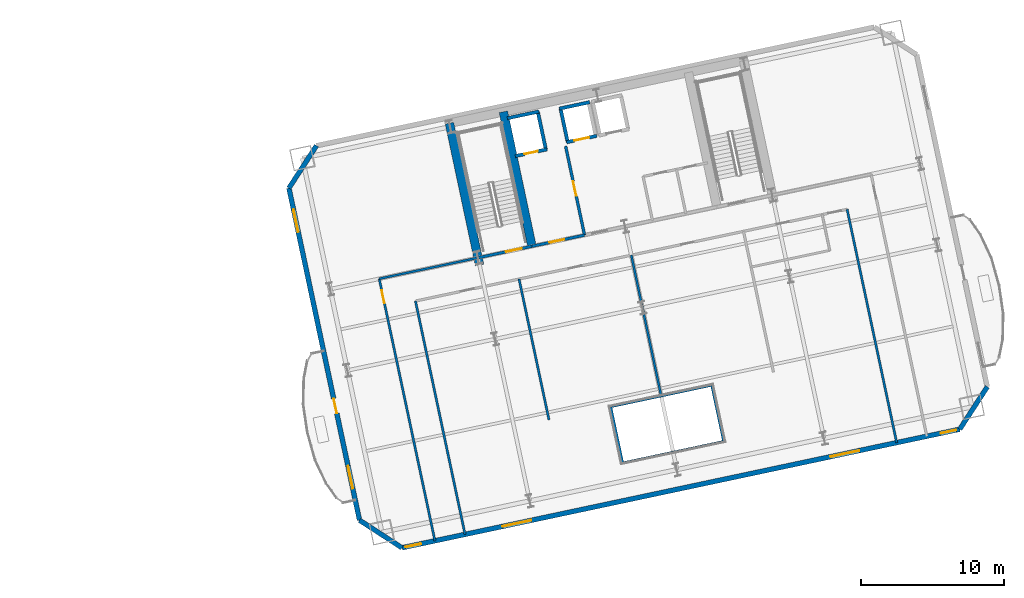
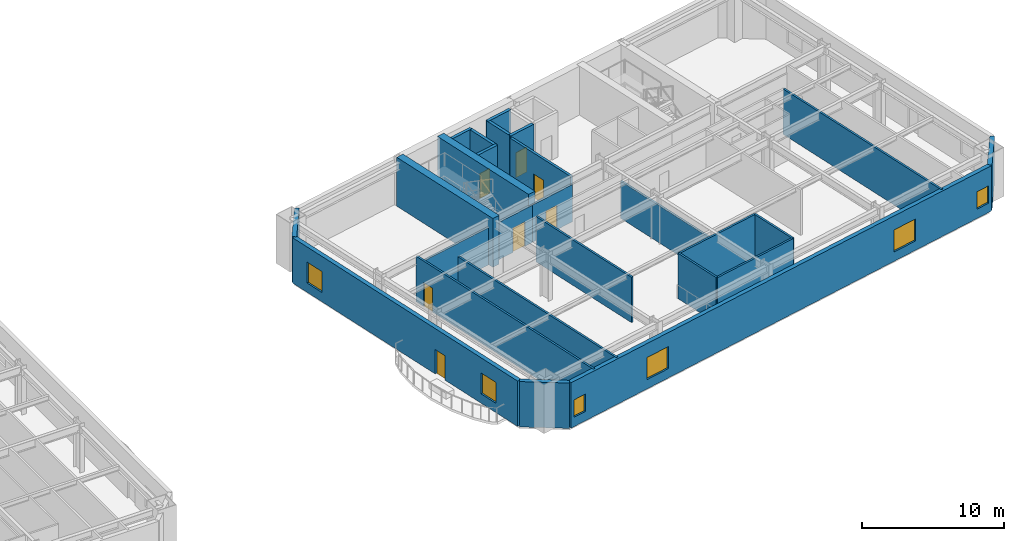
# One storey, part 8 of 15: 26 walls, 7 doors, 6 windows, 13 openings.
"""IFC4 building model written with IfcOpenShell, lengths in metres."""

from ifc_helpers import new_model, si_unit, direction, frame, frame_2d, origin, place, context, subcontext, project, spatial, rectangle, extrude, material, layer, layer_set, type_object, element, fill, save


model = new_model("IFC4")

# Units and contexts
model_context = context("Model", 3, precision=1e-05, world=origin(), true_north=direction((0.0, 1.0)))
body_context = subcontext(model_context, "Body", "Model", "MODEL_VIEW")
ifc_project = project(units=[si_unit("LENGTHUNIT", "METRE"), si_unit("AREAUNIT", "SQUARE_METRE"), si_unit("VOLUMEUNIT", "CUBIC_METRE"), si_unit("PLANEANGLEUNIT", "RADIAN"), si_unit("MASSUNIT", "GRAM", prefix="KILO")], contexts=[model_context])

# Site, building, storey
site_placement = place(None, origin())
site = spatial("IfcSite", under=ifc_project, at=site_placement, CompositionType="ELEMENT")
building_placement = place(site_placement, origin())
building = spatial("IfcBuilding", under=site, at=building_placement, Name="Haevon Station Towers", CompositionType="ELEMENT")
storey_placement = place(building_placement, frame((0.0, 0.0, 77.699951171875)))
storey = spatial("IfcBuildingStorey", under=building, at=storey_placement, Name="L20", CompositionType="ELEMENT", Elevation=77.699951171875)

# Wall, opening, door
ifc_material_1 = material(Name="Gypsum board on steel stud", Category="steel")
ifc_layer_1 = layer(ifc_material_1, 0.199951171875)
ifc_layer_set_1 = layer_set([ifc_layer_1], Name="Gypsum board on steel stud")
wall_type_1 = type_object("IfcWallType", Name="WL-COR200", PredefinedType="PARTITIONING", material=ifc_layer_set_1)
wall_1_placement = place(storey_placement, frame((98.75244140625, 37.4423828125, 0.0), z_axis=(0.0, 0.0, 1.0), x_axis=(0.978143537786, 0.207930804564, 0.0)))
wall_1 = element("IfcWall", 1, at=wall_1_placement, inside=storey, type_object=wall_type_1, Name="WL-ST-ST3-L20", PredefinedType="PARTITIONING", context=body_context, shape_type="SweptSolid", body=[
    extrude(rectangle(XDim=3.85009765625, YDim=0.199951171875, at=frame_2d((1.925048828125, 0.0))), origin(), (0.0, 0.0, 1.0), 3.199951171875),
])
opening_1_placement = place(wall_1_placement, frame((2.0, 0.0, 0.0)))
opening_1 = element("IfcOpeningElement", 2, at=opening_1_placement, cuts=wall_1, Name="Opening DR-ST-ST3-L20", PredefinedType="OPENING", context=body_context, shape_type="SweptSolid", body=[
    extrude(rectangle(XDim=1.1201171875, YDim=2.10009765625, at=frame_2d((0.56005859375, 1.050048828125))), frame((0.0, 0.10986328125, 0.0), z_axis=(0.0, -1.0, 0.0), x_axis=(1.0, 0.0, 0.0)), (0.0, 0.0, 1.0), 0.219970703125),
])
ifc_material_2 = material(Name="Engineered oak timber", Category="wood")
door_type_1 = type_object("IfcDoorType", Name="DR-ST-1120", OperationType="NOTDEFINED", PredefinedType="DOOR", material=ifc_material_2)
door_1_placement = place(opening_1_placement, origin())
door_1 = element("IfcDoor", 3, at=door_1_placement, inside=storey, type_object=door_type_1, Name="L20 Escape Stair ST3 Fire Door", OperationType="SINGLE_SWING_LEFT", OverallHeight=2.10009765625, OverallWidth=1.1201171875, PredefinedType="DOOR", context=body_context, shape_type="SweptSolid", body=[
    extrude(rectangle(XDim=1.1201171875, YDim=2.10009765625, at=frame_2d((0.56005859375, 1.050048828125))), frame((0.0, 0.02490234375, 0.0), z_axis=(0.0, -1.0, 0.0), x_axis=(1.0, 0.0, 0.0)), (0.0, 0.0, 1.0), 0.050048828125),
])
fill(opening_1, door_1)

wall_2_placement = place(storey_placement, frame((106.186279296875, 39.0224609375, 0.0), z_axis=(0.0, 0.0, 1.0), x_axis=(-0.207916691923, 0.978146537703, 0.0)))
wall_2 = element("IfcWall", 4, at=wall_2_placement, inside=storey, type_object=wall_type_1, Name="WL-T2FFL-L20-E", PredefinedType="PARTITIONING", context=body_context, shape_type="SweptSolid", body=[
    extrude(rectangle(XDim=6.35009765625, YDim=0.199951171875, at=frame_2d((3.175048828125, 0.0))), origin(), (0.0, 0.0, 1.0), 3.900146484375),
])
opening_2_placement = place(wall_2_placement, frame((2.800048828125, 0.0, 0.0)))
opening_2 = element("IfcOpeningElement", 5, at=opening_2_placement, cuts=wall_2, Name="Opening DR-T2FFL-L20-E", PredefinedType="OPENING", context=body_context, shape_type="SweptSolid", body=[
    extrude(rectangle(XDim=1.050048828125, YDim=2.10009765625, at=frame_2d((0.52490234375, 1.050048828125))), frame((0.0, 0.10986328125, 0.0), z_axis=(0.0, -1.0, 0.0), x_axis=(1.0, 0.0, 0.0)), (0.0, 0.0, 1.0), 0.219970703125),
])
door_type_2 = type_object("IfcDoorType", Name="DR-FD60-1050", OperationType="NOTDEFINED", PredefinedType="DOOR", material=ifc_material_2)
door_2_placement = place(opening_2_placement, origin())
door_2 = element("IfcDoor", 6, at=door_2_placement, inside=storey, type_object=door_type_2, Name="L20 Tower 2 Firefighting Lift Lobby Door E", OperationType="SINGLE_SWING_LEFT", OverallHeight=2.10009765625, OverallWidth=1.050048828125, PredefinedType="DOOR", context=body_context, shape_type="SweptSolid", body=[
    extrude(rectangle(XDim=1.050048828125, YDim=2.10009765625, at=frame_2d((0.52490234375, 1.050048828125))), frame((0.0, 0.02490234375, 0.0), z_axis=(0.0, -1.0, 0.0), x_axis=(1.0, 0.0, 0.0)), (0.0, 0.0, 1.0), 0.050048828125),
])
fill(opening_2, door_2)

wall_3_placement = place(storey_placement, frame((102.518310546875, 38.242919921875, 0.0), z_axis=(0.0, 0.0, 1.0), x_axis=(0.978153555683, 0.20788367301, 0.0)))
wall_3 = element("IfcWall", 7, at=wall_3_placement, inside=storey, type_object=wall_type_1, Name="WL-T2FFL-L20-S", PredefinedType="PARTITIONING", context=body_context, shape_type="SweptSolid", body=[
    extrude(rectangle(XDim=3.75, YDim=0.199951171875, at=frame_2d((1.875, 0.0))), origin(), (0.0, 0.0, 1.0), 3.199951171875),
])
opening_3_placement = place(wall_3_placement, frame((1.25, 0.0, 0.0)))
opening_3 = element("IfcOpeningElement", 8, at=opening_3_placement, cuts=wall_3, Name="Opening DR-T2FFL-L20-S", PredefinedType="OPENING", context=body_context, shape_type="SweptSolid", body=[
    extrude(rectangle(XDim=1.050048828125, YDim=2.10009765625, at=frame_2d((0.52490234375, 1.050048828125))), frame((0.0, 0.10986328125, 0.0), z_axis=(0.0, -1.0, 0.0), x_axis=(1.0, 0.0, 0.0)), (0.0, 0.0, 1.0), 0.219970703125),
])
door_3_placement = place(opening_3_placement, origin())
door_3 = element("IfcDoor", 9, at=door_3_placement, inside=storey, type_object=door_type_2, Name="L20 Tower 2 Firefighting Lift Lobby Door S", OperationType="SINGLE_SWING_RIGHT", OverallHeight=2.10009765625, OverallWidth=1.050048828125, PredefinedType="DOOR", context=body_context, shape_type="SweptSolid", body=[
    extrude(rectangle(XDim=1.050048828125, YDim=2.10009765625, at=frame_2d((0.52490234375, 1.050048828125))), frame((0.0, 0.02490234375, 0.0), z_axis=(0.0, -1.0, 0.0), x_axis=(1.0, 0.0, 0.0)), (0.0, 0.0, 1.0), 0.050048828125),
])
fill(opening_3, door_3)

# Walls
ifc_material_3 = material(Name="Concrete C60/75", Category="concrete")
ifc_layer_2 = layer(ifc_material_3, 0.60009765625)
ifc_layer_set_2 = layer_set([ifc_layer_2], Name="Concrete C60/75")
wall_type_2 = type_object("IfcWallType", Name="WL-CR600", PredefinedType="SHEAR", material=ifc_layer_set_2)
wall_4_placement = place(storey_placement, frame((98.8603515625, 36.933837890625, 0.0), z_axis=(0.0, 0.0, 1.0), x_axis=(-0.20790924889, 0.978148119778, 0.0)))
element("IfcWall", 10, at=wall_4_placement, inside=storey, type_object=wall_type_2, Name="WL-T2CR-L20-W", PredefinedType="SHEAR", context=body_context, shape_type="SweptSolid", body=[
    extrude(rectangle(XDim=10.119873046875, YDim=0.60009765625, at=frame_2d((5.06005859375, 0.0))), origin(), (0.0, 0.0, 1.0), 4.199951171875),
])
wall_5_placement = place(storey_placement, frame((102.518310546875, 38.242919921875, 0.0), z_axis=(0.0, 0.0, 1.0), x_axis=(-0.207927495108, 0.978144241295, 0.0)))
element("IfcWall", 11, at=wall_5_placement, inside=storey, type_object=wall_type_2, Name="WL-T2CR-L20-M1", PredefinedType="SHEAR", context=body_context, shape_type="SweptSolid", body=[
    extrude(rectangle(XDim=9.599853515625, YDim=0.60009765625, at=frame_2d((4.7998046875, 0.0))), origin(), (0.0, 0.0, 1.0), 4.199951171875),
])

# Wall, openings, windows
ifc_material_4 = material(Name="Precast concrete C45/55", Category="concrete")
ifc_layer_3 = layer(ifc_material_4, 0.340087890625)
ifc_layer_set_3 = layer_set([ifc_layer_3], Name="Precast concrete C45/55")
wall_type_3 = type_object("IfcWallType", Name="WL-EXT-PIER340", PredefinedType="SOLIDWALL", material=ifc_layer_set_3)
wall_6_placement = place(storey_placement, frame((132.3759765625, 25.4716796875, 0.0), z_axis=(0.0, 0.0, 1.0), x_axis=(-0.978147406386, -0.20791260515, 0.0)))
wall_6 = element("IfcWall", 12, at=wall_6_placement, inside=storey, type_object=wall_type_3, Name="WL-T2-L20-S", PredefinedType="SOLIDWALL", context=body_context, shape_type="SweptSolid", body=[
    extrude(rectangle(XDim=39.7998046875, YDim=0.340087890625, at=frame_2d((19.89990234375, 0.0))), origin(), (0.0, 0.0, 1.0), 3.900146484375),
])
opening_4_placement = place(wall_6_placement, frame((38.449951171875, 0.0, 0.800048828125)))
opening_4 = element("IfcOpeningElement", 13, at=opening_4_placement, cuts=wall_6, Name="Opening WN-COR110", PredefinedType="OPENING", context=body_context, shape_type="SweptSolid", body=[
    extrude(rectangle(XDim=1.10009765625, YDim=1.5, at=frame_2d((0.550048828125, 0.75))), frame((0.0, 0.179931640625, 0.0), z_axis=(0.0, -1.0, 0.0), x_axis=(1.0, 0.0, 0.0)), (0.0, 0.0, 1.0), 0.360107421875),
])
opening_5_placement = place(wall_6_placement, frame((0.25, 0.0, 0.800048828125)))
opening_5 = element("IfcOpeningElement", 14, at=opening_5_placement, cuts=wall_6, Name="Opening WN-COR110", PredefinedType="OPENING", context=body_context, shape_type="SweptSolid", body=[
    extrude(rectangle(XDim=1.10009765625, YDim=1.5, at=frame_2d((0.550048828125, 0.75))), frame((0.0, 0.179931640625, 0.0), z_axis=(0.0, -1.0, 0.0), x_axis=(1.0, 0.0, 0.0)), (0.0, 0.0, 1.0), 0.360107421875),
])
opening_6_placement = place(wall_6_placement, frame((30.5791015625, 0.0, 0.800048828125)))
opening_6 = element("IfcOpeningElement", 15, at=opening_6_placement, cuts=wall_6, Name="Opening WN-P205", PredefinedType="OPENING", context=body_context, shape_type="SweptSolid", body=[
    extrude(rectangle(XDim=2.050048828125, YDim=1.89990234375, at=frame_2d((1.02490234375, 0.949951171875))), frame((0.0, 0.179931640625, 0.0), z_axis=(0.0, -1.0, 0.0), x_axis=(1.0, 0.0, 0.0)), (0.0, 0.0, 1.0), 0.360107421875),
])
opening_7_placement = place(wall_6_placement, frame((7.1708984375, 0.0, 0.800048828125)))
opening_7 = element("IfcOpeningElement", 16, at=opening_7_placement, cuts=wall_6, Name="Opening WN-P205", PredefinedType="OPENING", context=body_context, shape_type="SweptSolid", body=[
    extrude(rectangle(XDim=2.050048828125, YDim=1.89990234375, at=frame_2d((1.02490234375, 0.949951171875))), frame((0.0, 0.179931640625, 0.0), z_axis=(0.0, -1.0, 0.0), x_axis=(1.0, 0.0, 0.0)), (0.0, 0.0, 1.0), 0.360107421875),
])
ifc_material_5 = material(Name="Low-E triple glazing in thermally broken aluminium", Category="aluminium")
window_type_1 = type_object("IfcWindowType", Name="WN-COR110", PartitioningType="SINGLE_PANEL", PredefinedType="WINDOW", material=ifc_material_5)
window_1_placement = place(opening_4_placement, origin())
window_1 = element("IfcWindow", 17, at=window_1_placement, inside=storey, type_object=window_type_1, Name="WN-T2-L20-S01", OverallHeight=1.5, OverallWidth=1.10009765625, PartitioningType="SINGLE_PANEL", PredefinedType="WINDOW", context=body_context, shape_type="SweptSolid", body=[
    extrude(rectangle(XDim=1.10009765625, YDim=1.5, at=frame_2d((0.550048828125, 0.75))), frame((0.0, 0.030029296875, 0.0), z_axis=(0.0, -1.0, 0.0), x_axis=(1.0, 0.0, 0.0)), (0.0, 0.0, 1.0), 0.06005859375),
])
fill(opening_4, window_1)
window_2_placement = place(opening_5_placement, origin())
window_2 = element("IfcWindow", 18, at=window_2_placement, inside=storey, type_object=window_type_1, Name="WN-T2-L20-S02", OverallHeight=1.5, OverallWidth=1.10009765625, PartitioningType="SINGLE_PANEL", PredefinedType="WINDOW", context=body_context, shape_type="SweptSolid", body=[
    extrude(rectangle(XDim=1.10009765625, YDim=1.5, at=frame_2d((0.550048828125, 0.75))), frame((0.0, 0.030029296875, 0.0), z_axis=(0.0, -1.0, 0.0), x_axis=(1.0, 0.0, 0.0)), (0.0, 0.0, 1.0), 0.06005859375),
])
fill(opening_5, window_2)
window_type_2 = type_object("IfcWindowType", Name="WN-P205", PartitioningType="SINGLE_PANEL", PredefinedType="WINDOW", material=ifc_material_5)
window_3_placement = place(opening_6_placement, origin())
window_3 = element("IfcWindow", 19, at=window_3_placement, inside=storey, type_object=window_type_2, Name="WN-T2-L20-S03", OverallHeight=1.89990234375, OverallWidth=2.050048828125, PartitioningType="SINGLE_PANEL", PredefinedType="WINDOW", context=body_context, shape_type="SweptSolid", body=[
    extrude(rectangle(XDim=2.050048828125, YDim=1.89990234375, at=frame_2d((1.02490234375, 0.949951171875))), frame((0.0, 0.030029296875, 0.0), z_axis=(0.0, -1.0, 0.0), x_axis=(1.0, 0.0, 0.0)), (0.0, 0.0, 1.0), 0.06005859375),
])
fill(opening_6, window_3)
window_4_placement = place(opening_7_placement, origin())
window_4 = element("IfcWindow", 20, at=window_4_placement, inside=storey, type_object=window_type_2, Name="WN-T2-L20-S04", OverallHeight=1.89990234375, OverallWidth=2.050048828125, PartitioningType="SINGLE_PANEL", PredefinedType="WINDOW", context=body_context, shape_type="SweptSolid", body=[
    extrude(rectangle(XDim=2.050048828125, YDim=1.89990234375, at=frame_2d((1.02490234375, 0.949951171875))), frame((0.0, 0.030029296875, 0.0), z_axis=(0.0, -1.0, 0.0), x_axis=(1.0, 0.0, 0.0)), (0.0, 0.0, 1.0), 0.06005859375),
])
fill(opening_7, window_4)

# Wall
wall_7_placement = place(storey_placement, frame((93.44580078125, 17.19677734375, 0.0), z_axis=(0.0, 0.0, 1.0), x_axis=(-0.838692791597, 0.544604812064, 0.0)))
element("IfcWall", 21, at=wall_7_placement, inside=storey, type_object=wall_type_3, Name="WL-T2-L20-SWC", PredefinedType="SOLIDWALL", context=body_context, shape_type="SweptSolid", body=[
    extrude(rectangle(XDim=3.53564453125, YDim=0.340087890625, at=frame_2d((1.767822265625, 0.0))), origin(), (0.0, 0.0, 1.0), 3.900146484375),
])

# Wall, openings, door, windows
wall_8_placement = place(storey_placement, frame((90.48046875, 19.122314453125, 0.0), z_axis=(0.0, 0.0, 1.0), x_axis=(-0.20791074704, 0.978147801339, 0.0)))
wall_8 = element("IfcWall", 22, at=wall_8_placement, inside=storey, type_object=wall_type_3, Name="WL-T2-L20-W", PredefinedType="SOLIDWALL", context=body_context, shape_type="SweptSolid", body=[
    extrude(rectangle(XDim=23.699951171875, YDim=0.340087890625, at=frame_2d((11.85009765625, 0.0))), origin(), (0.0, 0.0, 1.0), 3.900146484375),
])
opening_8_placement = place(wall_8_placement, frame((7.625, 0.0, 0.0)))
opening_8 = element("IfcOpeningElement", 23, at=opening_8_placement, cuts=wall_8, Name="Opening DR-T2-SCAL-L20-W", PredefinedType="OPENING", context=body_context, shape_type="SweptSolid", body=[
    extrude(rectangle(XDim=1.050048828125, YDim=2.10009765625, at=frame_2d((0.52490234375, 1.050048828125))), frame((0.0, 0.179931640625, 0.0), z_axis=(0.0, -1.0, 0.0), x_axis=(1.0, 0.0, 0.0)), (0.0, 0.0, 1.0), 0.360107421875),
])
opening_9_placement = place(wall_8_placement, frame((2.264404296875, 0.0, 0.800048828125)))
opening_9 = element("IfcOpeningElement", 24, at=opening_9_placement, cuts=wall_8, Name="Opening WN-END160", PredefinedType="OPENING", context=body_context, shape_type="SweptSolid", body=[
    extrude(rectangle(XDim=1.60009765625, YDim=1.800048828125, at=frame_2d((0.800048828125, 0.89990234375))), frame((0.0, 0.179931640625, 0.0), z_axis=(0.0, -1.0, 0.0), x_axis=(1.0, 0.0, 0.0)), (0.0, 0.0, 1.0), 0.360107421875),
])
opening_10_placement = place(wall_8_placement, frame((20.56787109375, 0.0, 0.800048828125)))
opening_10 = element("IfcOpeningElement", 25, at=opening_10_placement, cuts=wall_8, Name="Opening WN-END160", PredefinedType="OPENING", context=body_context, shape_type="SweptSolid", body=[
    extrude(rectangle(XDim=1.60009765625, YDim=1.800048828125, at=frame_2d((0.800048828125, 0.89990234375))), frame((0.0, 0.179931640625, 0.0), z_axis=(0.0, -1.0, 0.0), x_axis=(1.0, 0.0, 0.0)), (0.0, 0.0, 1.0), 0.360107421875),
])
ifc_material_6 = material(Name="Thermally broken anodised aluminium and laminated safety glass", Category="aluminium")
door_type_3 = type_object("IfcDoorType", Name="DR-BALC-1050", OperationType="NOTDEFINED", PredefinedType="DOOR", material=ifc_material_6)
door_4_placement = place(opening_8_placement, origin())
door_4 = element("IfcDoor", 26, at=door_4_placement, inside=storey, type_object=door_type_3, Name="Tower 2 L20 West Scalloped Balcony Door", OperationType="SINGLE_SWING_LEFT", OverallHeight=2.10009765625, OverallWidth=1.050048828125, PredefinedType="DOOR", context=body_context, shape_type="SweptSolid", body=[
    extrude(rectangle(XDim=1.050048828125, YDim=2.10009765625, at=frame_2d((0.52490234375, 1.050048828125))), frame((0.0, 0.02490234375, 0.0), z_axis=(0.0, -1.0, 0.0), x_axis=(1.0, 0.0, 0.0)), (0.0, 0.0, 1.0), 0.050048828125),
])
fill(opening_8, door_4)
window_type_3 = type_object("IfcWindowType", Name="WN-END160", PartitioningType="SINGLE_PANEL", PredefinedType="WINDOW", material=ifc_material_5)
window_5_placement = place(opening_9_placement, origin())
window_5 = element("IfcWindow", 27, at=window_5_placement, inside=storey, type_object=window_type_3, Name="WN-T2-L20-W01", OverallHeight=1.800048828125, OverallWidth=1.60009765625, PartitioningType="SINGLE_PANEL", PredefinedType="WINDOW", context=body_context, shape_type="SweptSolid", body=[
    extrude(rectangle(XDim=1.60009765625, YDim=1.800048828125, at=frame_2d((0.800048828125, 0.89990234375))), frame((0.0, 0.030029296875, 0.0), z_axis=(0.0, -1.0, 0.0), x_axis=(1.0, 0.0, 0.0)), (0.0, 0.0, 1.0), 0.06005859375),
])
fill(opening_9, window_5)
window_6_placement = place(opening_10_placement, origin())
window_6 = element("IfcWindow", 28, at=window_6_placement, inside=storey, type_object=window_type_3, Name="WN-T2-L20-W02", OverallHeight=1.800048828125, OverallWidth=1.60009765625, PartitioningType="SINGLE_PANEL", PredefinedType="WINDOW", context=body_context, shape_type="SweptSolid", body=[
    extrude(rectangle(XDim=1.60009765625, YDim=1.800048828125, at=frame_2d((0.800048828125, 0.89990234375))), frame((0.0, 0.030029296875, 0.0), z_axis=(0.0, -1.0, 0.0), x_axis=(1.0, 0.0, 0.0)), (0.0, 0.0, 1.0), 0.06005859375),
])
fill(opening_10, window_6)

# Walls
wall_9_placement = place(storey_placement, frame((85.552978515625, 42.304443359375, 0.0), z_axis=(0.0, 0.0, 1.0), x_axis=(0.544684921471, 0.838640767148, 0.0)))
element("IfcWall", 29, at=wall_9_placement, inside=storey, type_object=wall_type_3, Name="WL-T2-L20-NWC", PredefinedType="SOLIDWALL", context=body_context, shape_type="SweptSolid", body=[
    extrude(rectangle(XDim=3.53564453125, YDim=0.340087890625, at=frame_2d((1.767822265625, 0.0))), origin(), (0.0, 0.0, 1.0), 3.900146484375),
])
wall_10_placement = place(storey_placement, frame((134.301513671875, 28.436767578125, 0.0), z_axis=(0.0, 0.0, 1.0), x_axis=(-0.544636352948, -0.838672309694, 0.0)))
element("IfcWall", 30, at=wall_10_placement, inside=storey, type_object=wall_type_3, Name="WL-T2-L20-SEC", PredefinedType="SOLIDWALL", context=body_context, shape_type="SweptSolid", body=[
    extrude(rectangle(XDim=3.535400390625, YDim=0.340087890625, at=frame_2d((1.767578125, 0.0))), origin(), (0.0, 0.0, 1.0), 3.900146484375),
])
ifc_layer_4 = layer(ifc_material_1, 0.159912109375)
ifc_layer_set_4 = layer_set([ifc_layer_4], Name="Gypsum board on steel stud")
wall_type_4 = type_object("IfcWallType", Name="WL-PRT160", PredefinedType="PARTITIONING", material=ifc_layer_set_4)
for number, where, z_axis, x_axis, name in (
    (31, (97.847412109375, 18.13232421875, 0.0), (0.0, 0.0, 1.0), (-0.20790856066, 0.978148266064, 0.0), "WL-T2PT-L20-01"),
    (32, (127.974365234375, 24.535888671875, 0.0), (0.0, 0.0, 1.0), (-0.20790856066, 0.978148266064, 0.0), "WL-T2PT-L20-02"),
):
    element("IfcWall", number, at=place(storey_placement, frame(where, z_axis=z_axis, x_axis=x_axis)), inside=storey, type_object=wall_type_4, Name=name, PredefinedType="PARTITIONING", context=body_context, shape_type="SweptSolid", body=[
        extrude(rectangle(XDim=16.64990234375, YDim=0.159912109375, at=frame_2d((8.324951171875, 0.0))), origin(), (0.0, 0.0, 1.0), 3.900146484375),
    ])
wall_11_placement = place(storey_placement, frame((91.8564453125, 35.9765625, 0.0), z_axis=(0.0, 0.0, 1.0), x_axis=(0.978146703791, 0.207915910556, 0.0)))
element("IfcWall", 33, at=wall_11_placement, inside=storey, type_object=wall_type_4, Name="WL-T2PT-L20-03", PredefinedType="PARTITIONING", context=body_context, shape_type="SweptSolid", body=[
    extrude(rectangle(XDim=7.050048828125, YDim=0.159912109375, at=frame_2d((3.52490234375, 0.0))), origin(), (0.0, 0.0, 1.0), 3.199951171875),
])

# Wall, opening, door
wall_12_placement = place(storey_placement, frame((95.744384765625, 17.685302734375, 0.0), z_axis=(0.0, 0.0, 1.0), x_axis=(-0.207912313426, 0.978147468394, 0.0)))
wall_12 = element("IfcWall", 34, at=wall_12_placement, inside=storey, type_object=wall_type_4, Name="WL-T2PT-L20-05", PredefinedType="PARTITIONING", context=body_context, shape_type="SweptSolid", body=[
    extrude(rectangle(XDim=18.699951171875, YDim=0.159912109375, at=frame_2d((9.35009765625, 0.0))), origin(), (0.0, 0.0, 1.0), 3.900146484375),
])
opening_11_placement = place(wall_12_placement, frame((16.969970703125, 0.0, 0.0)))
opening_11 = element("IfcOpeningElement", 35, at=opening_11_placement, cuts=wall_12, Name="Opening DR-WL-T2PT-L20-05-01", PredefinedType="OPENING", context=body_context, shape_type="SweptSolid", body=[
    extrude(rectangle(XDim=0.89990234375, YDim=2.050048828125, at=frame_2d((0.449951171875, 1.02490234375))), frame((0.0, 0.08984375, 0.0), z_axis=(0.0, -1.0, 0.0), x_axis=(1.0, 0.0, 0.0)), (0.0, 0.0, 1.0), 0.179931640625),
])
door_type_4 = type_object("IfcDoorType", Name="DR-INT-900", OperationType="NOTDEFINED", PredefinedType="DOOR", material=ifc_material_2)
door_5_placement = place(opening_11_placement, origin())
door_5 = element("IfcDoor", 36, at=door_5_placement, inside=storey, type_object=door_type_4, Name="L20 Tower 2 Room Door 5-1", OperationType="SINGLE_SWING_LEFT", OverallHeight=2.050048828125, OverallWidth=0.89990234375, PredefinedType="DOOR", context=body_context, shape_type="SweptSolid", body=[
    extrude(rectangle(XDim=0.89990234375, YDim=2.050048828125, at=frame_2d((0.449951171875, 1.02490234375))), frame((0.0, 0.02490234375, 0.0), z_axis=(0.0, -1.0, 0.0), x_axis=(1.0, 0.0, 0.0)), (0.0, 0.0, 1.0), 0.050048828125),
])
fill(opening_11, door_5)

# Walls
for number, where, z_axis, x_axis, name in (
    (37, (108.848876953125, 23.12890625, 0.0), (0.0, 0.0, 1.0), (0.978151869997, 0.207891604498, 0.0), "WL-T2PT-L20-07"),
    (38, (108.017333984375, 27.04150390625, 0.0), (0.0, 0.0, 1.0), (0.978151869997, 0.207891604498, 0.0), "WL-T2PT-L20-08"),
):
    element("IfcWall", number, at=place(storey_placement, frame(where, z_axis=z_axis, x_axis=x_axis)), inside=storey, type_object=wall_type_4, Name=name, PredefinedType="PARTITIONING", context=body_context, shape_type="SweptSolid", body=[
        extrude(rectangle(XDim=7.199951171875, YDim=0.159912109375, at=frame_2d((3.60009765625, 0.0))), origin(), (0.0, 0.0, 1.0), 3.900146484375),
    ])
for number, where, z_axis, x_axis, name in (
    (39, (108.848876953125, 23.12890625, 0.0), (0.0, 0.0, 1.0), (-0.207886494942, 0.978152955943, 0.0), "WL-T2PT-L20-09"),
    (40, (115.8916015625, 24.625732421875, 0.0), (0.0, 0.0, 1.0), (-0.207886494942, 0.978152955943, 0.0), "WL-T2PT-L20-10"),
):
    element("IfcWall", number, at=place(storey_placement, frame(where, z_axis=z_axis, x_axis=x_axis)), inside=storey, type_object=wall_type_4, Name=name, PredefinedType="PARTITIONING", context=body_context, shape_type="SweptSolid", body=[
        extrude(rectangle(XDim=4.0, YDim=0.159912109375, at=frame_2d((2.0, 0.0))), origin(), (0.0, 0.0, 1.0), 3.900146484375),
    ])
wall_13_placement = place(storey_placement, frame((103.70556640625, 26.125, 0.0), z_axis=(0.0, 0.0, 1.0), x_axis=(-0.207897978629, 0.978150515249, 0.0)))
element("IfcWall", 41, at=wall_13_placement, inside=storey, type_object=wall_type_4, Name="WL-T2PT-L20-11", PredefinedType="PARTITIONING", context=body_context, shape_type="SweptSolid", body=[
    extrude(rectangle(XDim=10.0498046875, YDim=0.159912109375, at=frame_2d((5.02490234375, 0.0))), origin(), (0.0, 0.0, 1.0), 3.900146484375),
])
wall_14_placement = place(storey_placement, frame((111.53857421875, 27.789794921875, 0.0), z_axis=(0.0, 0.0, 1.0), x_axis=(-0.207893038664, 0.978151565186, 0.0)))
element("IfcWall", 42, at=wall_14_placement, inside=storey, type_object=wall_type_4, Name="WL-T2PT-L20-12", PredefinedType="PARTITIONING", context=body_context, shape_type="SweptSolid", body=[
    extrude(rectangle(XDim=10.050048828125, YDim=0.159912109375, at=frame_2d((5.02490234375, 0.0))), origin(), (0.0, 0.0, 1.0), 3.199951171875),
])

# Wall, opening, door
ifc_material_7 = material(Name="Concrete C40/50", Category="concrete")
ifc_layer_5 = layer(ifc_material_7, 0.239990234375)
ifc_layer_set_5 = layer_set([ifc_layer_5], Name="Concrete C40/50")
wall_type_5 = type_object("IfcWallType", Name="WL-SHF240", PredefinedType="PARTITIONING", material=ifc_layer_set_5)
wall_15_placement = place(storey_placement, frame((101.353759765625, 44.538330078125, 0.0), z_axis=(0.0, 0.0, 1.0), x_axis=(0.978141002414, 0.207942731049, 0.0)))
wall_15 = element("IfcWall", 43, at=wall_15_placement, inside=storey, type_object=wall_type_5, Name="WL-SHF-FL2-L20", PredefinedType="PARTITIONING", context=body_context, shape_type="SweptSolid", body=[
    extrude(rectangle(XDim=2.260009765625, YDim=0.239990234375, at=frame_2d((1.1298828125, 0.0))), origin(), (0.0, 0.0, 1.0), 3.900146484375),
])
opening_12_placement = place(wall_15_placement, frame((0.655029296875, 0.0, 0.0)))
opening_12 = element("IfcOpeningElement", 44, at=opening_12_placement, cuts=wall_15, Name="Opening LD-FL2-L20", PredefinedType="OPENING", context=body_context, shape_type="SweptSolid", body=[
    extrude(rectangle(XDim=0.949951171875, YDim=2.14990234375, at=frame_2d((0.47509765625, 1.074951171875))), frame((0.0, 0.1298828125, 0.0), z_axis=(0.0, -1.0, 0.0), x_axis=(1.0, 0.0, 0.0)), (0.0, 0.0, 1.0), 0.260009765625),
])
ifc_material_8 = material(Name="Stainless steel and rated core", Category="steel")
door_type_5 = type_object("IfcDoorType", Name="LD-FL950", OperationType="SLIDING_TO_LEFT", PredefinedType="DOOR", material=ifc_material_8)
door_6_placement = place(opening_12_placement, origin())
door_6 = element("IfcDoor", 45, at=door_6_placement, inside=storey, type_object=door_type_5, Name="L20 Lift FL2 Sliding Landing Door", OperationType="SLIDING_TO_LEFT", OverallHeight=2.14990234375, OverallWidth=0.949951171875, PredefinedType="DOOR", context=body_context, shape_type="SweptSolid", body=[
    extrude(rectangle(XDim=0.949951171875, YDim=2.14990234375, at=frame_2d((0.47509765625, 1.074951171875))), frame((0.0, 0.02490234375, 0.0), z_axis=(0.0, -1.0, 0.0), x_axis=(1.0, 0.0, 0.0)), (0.0, 0.0, 1.0), 0.050048828125),
])
fill(opening_12, door_6)

# Walls
wall_16_placement = place(storey_placement, frame((100.79248046875, 47.179443359375, 0.0), z_axis=(0.0, 0.0, 1.0), x_axis=(0.978162968872, 0.207839376268, 0.0)))
element("IfcWall", 46, at=wall_16_placement, inside=storey, type_object=wall_type_5, Name="WL-SHF-FL2-L20-N", PredefinedType="PARTITIONING", context=body_context, shape_type="SweptSolid", body=[
    extrude(rectangle(XDim=2.260009765625, YDim=0.239990234375, at=frame_2d((1.1298828125, 0.0))), origin(), (0.0, 0.0, 1.0), 3.900146484375),
])
wall_17_placement = place(storey_placement, frame((103.486328125, 44.99169921875, 0.0), z_axis=(0.0, 0.0, 1.0), x_axis=(-0.207978798957, 0.978133334052, 0.0)))
element("IfcWall", 47, at=wall_17_placement, inside=storey, type_object=wall_type_5, Name="WL-SHF-FL2-L20-E", PredefinedType="PARTITIONING", context=body_context, shape_type="SweptSolid", body=[
    extrude(rectangle(XDim=2.699951171875, YDim=0.239990234375, at=frame_2d((1.35009765625, 0.0))), origin(), (0.0, 0.0, 1.0), 3.900146484375),
])

# Wall, opening, door
wall_18_placement = place(storey_placement, frame((104.931396484375, 45.503173828125, 0.0), z_axis=(0.0, 0.0, 1.0), x_axis=(0.97813528961, 0.207969601673, 0.0)))
wall_18 = element("IfcWall", 48, at=wall_18_placement, inside=storey, type_object=wall_type_5, Name="WL-SHF-PL7-L20", PredefinedType="PARTITIONING", context=body_context, shape_type="SweptSolid", body=[
    extrude(rectangle(XDim=2.159912109375, YDim=0.239990234375, at=frame_2d((1.080078125, 0.0))), origin(), (0.0, 0.0, 1.0), 3.900146484375),
])
opening_13_placement = place(wall_18_placement, frame((0.554931640625, 0.0, 0.0)))
opening_13 = element("IfcOpeningElement", 49, at=opening_13_placement, cuts=wall_18, Name="Opening LD-PL7-L20", PredefinedType="OPENING", context=body_context, shape_type="SweptSolid", body=[
    extrude(rectangle(XDim=1.050048828125, YDim=2.14990234375, at=frame_2d((0.52490234375, 1.074951171875))), frame((0.0, 0.1298828125, 0.0), z_axis=(0.0, -1.0, 0.0), x_axis=(1.0, 0.0, 0.0)), (0.0, 0.0, 1.0), 0.260009765625),
])
door_type_6 = type_object("IfcDoorType", Name="LD-PL1050", OperationType="SLIDING_TO_LEFT", PredefinedType="DOOR", material=ifc_material_8)
door_7_placement = place(opening_13_placement, origin())
door_7 = element("IfcDoor", 50, at=door_7_placement, inside=storey, type_object=door_type_6, Name="L20 Lift PL7 Sliding Landing Door", OperationType="SLIDING_TO_LEFT", OverallHeight=2.14990234375, OverallWidth=1.050048828125, PredefinedType="DOOR", context=body_context, shape_type="SweptSolid", body=[
    extrude(rectangle(XDim=1.050048828125, YDim=2.14990234375, at=frame_2d((0.52490234375, 1.074951171875))), frame((0.0, 0.02490234375, 0.0), z_axis=(0.0, -1.0, 0.0), x_axis=(1.0, 0.0, 0.0)), (0.0, 0.0, 1.0), 0.050048828125),
])
fill(opening_13, door_7)

# Walls
wall_19_placement = place(storey_placement, frame((104.432373046875, 47.850830078125, 0.0), z_axis=(0.0, 0.0, 1.0), x_axis=(0.978158276388, 0.207861459473, 0.0)))
element("IfcWall", 51, at=wall_19_placement, inside=storey, type_object=wall_type_5, Name="WL-SHF-PL7-L20-N", PredefinedType="PARTITIONING", context=body_context, shape_type="SweptSolid", body=[
    extrude(rectangle(XDim=2.159912109375, YDim=0.239990234375, at=frame_2d((1.080078125, 0.0))), origin(), (0.0, 0.0, 1.0), 3.900146484375),
])
wall_20_placement = place(storey_placement, frame((105.009765625, 45.519775390625, 0.0), z_axis=(0.0, 0.0, 1.0), x_axis=(-0.207917150959, 0.978146440129, 0.0)))
element("IfcWall", 52, at=wall_20_placement, inside=storey, type_object=wall_type_5, Name="WL-SHF-PL7-L20-W", PredefinedType="PARTITIONING", context=body_context, shape_type="SweptSolid", body=[
    extrude(rectangle(XDim=2.400146484375, YDim=0.239990234375, at=frame_2d((1.2001953125, 0.0))), origin(), (0.0, 0.0, 1.0), 3.900146484375),
])

save(model, "model.ifc")
